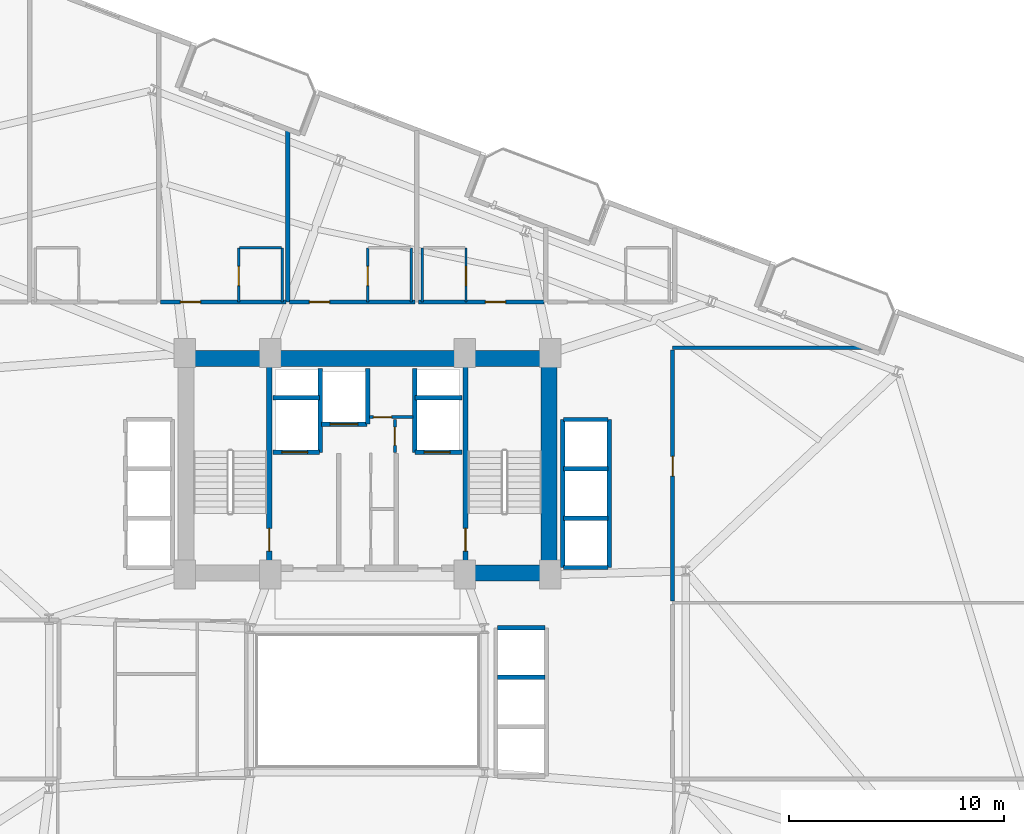
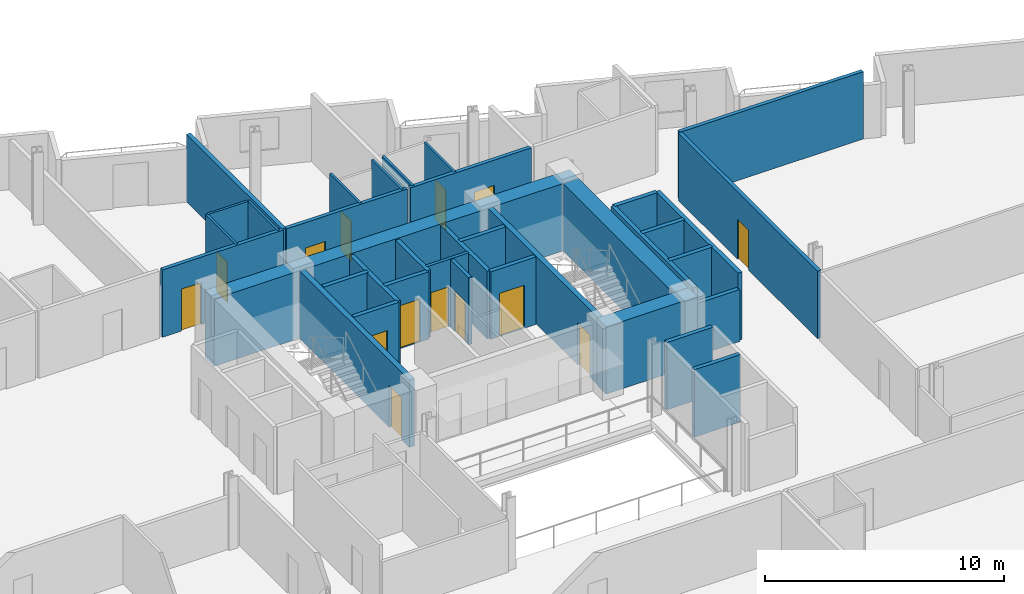
# One storey, part 20 of 25: 36 walls, 14 doors, 14 openings.
"""IFC4 building model written with IfcOpenShell, lengths in metres."""

from ifc_helpers import new_model, si_unit, direction, frame, frame_2d, origin, place, context, subcontext, project, spatial, rectangle, extrude, material, layer, layer_set, type_object, element, fill, save


model = new_model("IFC4")

# Units and contexts
model_context = context("Model", 3, precision=1e-05, world=origin(), true_north=direction((0.0, 1.0)))
body_context = subcontext(model_context, "Body", "Model", "MODEL_VIEW")
ifc_project = project(units=[si_unit("LENGTHUNIT", "METRE"), si_unit("AREAUNIT", "SQUARE_METRE"), si_unit("VOLUMEUNIT", "CUBIC_METRE"), si_unit("PLANEANGLEUNIT", "RADIAN"), si_unit("MASSUNIT", "GRAM", prefix="KILO")], contexts=[model_context])

# Site, building, storey
site_placement = place(None, origin())
site = spatial("IfcSite", under=ifc_project, at=site_placement, CompositionType="ELEMENT")
building_placement = place(site_placement, origin())
building = spatial("IfcBuilding", under=site, at=building_placement, Name="Varnelok Gate Tower", CompositionType="ELEMENT")
storey_placement = place(building_placement, frame((0.0, 0.0, 91.0)))
storey = spatial("IfcBuildingStorey", under=building, at=storey_placement, Name="L22", CompositionType="ELEMENT", Elevation=91.0)

# Wall, opening, door
ifc_material_1 = material(Name="Gypsum Plasterboard Acoustic Partition", Category="gypsum")
ifc_layer_1 = layer(ifc_material_1, 0.179931640625)
ifc_layer_set_1 = layer_set([ifc_layer_1], Name="Gypsum Plasterboard Acoustic Partition")
wall_type_1 = type_object("IfcWallType", Name="PW-CORR-180", PredefinedType="PARTITIONING", material=ifc_layer_set_1)
wall_1_placement = place(storey_placement, frame((29.580078125, 41.429931640625, 0.0), z_axis=(0.0, 0.0, 1.0), x_axis=(1.0, 0.0, 0.0)))
wall_1 = element("IfcWall", 1, at=wall_1_placement, inside=storey, type_object=wall_type_1, Name="Interior Partition", PredefinedType="PARTITIONING", context=body_context, shape_type="SweptSolid", body=[
    extrude(rectangle(XDim=5.83984375, YDim=0.179931640625, at=frame_2d((2.919921875, 0.0))), origin(), (0.0, 0.0, 1.0), 3.449951171875),
])
opening_1_placement = place(wall_1_placement, frame((0.917236328125, 0.0, 0.0)))
opening_1 = element("IfcOpeningElement", 2, at=opening_1_placement, cuts=wall_1, Name="Opening D-HT", PredefinedType="OPENING", context=body_context, shape_type="SweptSolid", body=[
    extrude(rectangle(XDim=0.949951171875, YDim=2.14990234375, at=frame_2d((0.47509765625, 1.074951171875))), frame((0.0, 0.099853515625, 0.0), z_axis=(0.0, -1.0, 0.0), x_axis=(1.0, 0.0, 0.0)), (0.0, 0.0, 1.0), 0.199951171875),
])
ifc_material_2 = material(Name="Engineered Hardwood Timber", Category="wood")
door_type_1 = type_object("IfcDoorType", Name="DR-HTL-950", OperationType="NOTDEFINED", PredefinedType="DOOR", material=ifc_material_2)
door_1_placement = place(opening_1_placement, origin())
door_1 = element("IfcDoor", 3, at=door_1_placement, inside=storey, type_object=door_type_1, Name="L22 Guest Room 07 Entrance Door", OperationType="SINGLE_SWING_RIGHT", OverallHeight=2.14990234375, OverallWidth=0.949951171875, PredefinedType="DOOR", context=body_context, shape_type="SweptSolid", body=[
    extrude(rectangle(XDim=0.949951171875, YDim=2.14990234375, at=frame_2d((0.47509765625, 1.074951171875))), frame((0.0, 0.02490234375, 0.0), z_axis=(0.0, -1.0, 0.0), x_axis=(1.0, 0.0, 0.0)), (0.0, 0.0, 1.0), 0.050048828125),
])
fill(opening_1, door_1)

wall_2_placement = place(storey_placement, frame((35.580078125, 41.429931640625, 0.0), z_axis=(0.0, 0.0, 1.0), x_axis=(1.0, 0.0, 0.0)))
wall_2 = element("IfcWall", 4, at=wall_2_placement, inside=storey, type_object=wall_type_1, Name="Interior Partition", PredefinedType="PARTITIONING", context=body_context, shape_type="SweptSolid", body=[
    extrude(rectangle(XDim=5.83984375, YDim=0.179931640625, at=frame_2d((2.919921875, 0.0))), origin(), (0.0, 0.0, 1.0), 3.449951171875),
])
opening_2_placement = place(wall_2_placement, frame((0.917236328125, 0.0, 0.0)))
opening_2 = element("IfcOpeningElement", 5, at=opening_2_placement, cuts=wall_2, Name="Opening D-HT", PredefinedType="OPENING", context=body_context, shape_type="SweptSolid", body=[
    extrude(rectangle(XDim=0.949951171875, YDim=2.14990234375, at=frame_2d((0.47509765625, 1.074951171875))), frame((0.0, 0.099853515625, 0.0), z_axis=(0.0, -1.0, 0.0), x_axis=(1.0, 0.0, 0.0)), (0.0, 0.0, 1.0), 0.199951171875),
])
door_2_placement = place(opening_2_placement, origin())
door_2 = element("IfcDoor", 6, at=door_2_placement, inside=storey, type_object=door_type_1, Name="L22 Guest Room 08 Entrance Door", OperationType="SINGLE_SWING_LEFT", OverallHeight=2.14990234375, OverallWidth=0.949951171875, PredefinedType="DOOR", context=body_context, shape_type="SweptSolid", body=[
    extrude(rectangle(XDim=0.949951171875, YDim=2.14990234375, at=frame_2d((0.47509765625, 1.074951171875))), frame((0.0, 0.02490234375, 0.0), z_axis=(0.0, -1.0, 0.0), x_axis=(1.0, 0.0, 0.0)), (0.0, 0.0, 1.0), 0.050048828125),
])
fill(opening_2, door_2)

wall_3_placement = place(storey_placement, frame((41.580078125, 41.429931640625, 0.0), z_axis=(0.0, 0.0, 1.0), x_axis=(1.0, 0.0, 0.0)))
wall_3 = element("IfcWall", 7, at=wall_3_placement, inside=storey, type_object=wall_type_1, Name="Interior Partition", PredefinedType="PARTITIONING", context=body_context, shape_type="SweptSolid", body=[
    extrude(rectangle(XDim=5.83984375, YDim=0.179931640625, at=frame_2d((2.919921875, 0.0))), origin(), (0.0, 0.0, 1.0), 3.449951171875),
])
opening_3_placement = place(wall_3_placement, frame((3.101318359375, 0.0, 0.0)))
opening_3 = element("IfcOpeningElement", 8, at=opening_3_placement, cuts=wall_3, Name="Opening D-HT", PredefinedType="OPENING", context=body_context, shape_type="SweptSolid", body=[
    extrude(rectangle(XDim=0.949951171875, YDim=2.14990234375, at=frame_2d((0.47509765625, 1.074951171875))), frame((0.0, 0.099853515625, 0.0), z_axis=(0.0, -1.0, 0.0), x_axis=(1.0, 0.0, 0.0)), (0.0, 0.0, 1.0), 0.199951171875),
])
door_3_placement = place(opening_3_placement, origin())
door_3 = element("IfcDoor", 9, at=door_3_placement, inside=storey, type_object=door_type_1, Name="L22 Guest Room 09 Entrance Door", OperationType="SINGLE_SWING_RIGHT", OverallHeight=2.14990234375, OverallWidth=0.949951171875, PredefinedType="DOOR", context=body_context, shape_type="SweptSolid", body=[
    extrude(rectangle(XDim=0.949951171875, YDim=2.14990234375, at=frame_2d((0.47509765625, 1.074951171875))), frame((0.0, 0.02490234375, 0.0), z_axis=(0.0, -1.0, 0.0), x_axis=(1.0, 0.0, 0.0)), (0.0, 0.0, 1.0), 0.050048828125),
])
fill(opening_3, door_3)

wall_4_placement = place(storey_placement, frame((53.389892578125, 27.530029296875, 0.0), z_axis=(0.0, 0.0, 1.0), x_axis=(0.0, 1.0, 0.0)))
wall_4 = element("IfcWall", 10, at=wall_4_placement, inside=storey, type_object=wall_type_1, Name="Interior Partition", PredefinedType="PARTITIONING", context=body_context, shape_type="SweptSolid", body=[
    extrude(rectangle(XDim=11.669921875, YDim=0.179931640625, at=frame_2d((5.8349609375, 0.0))), origin(), (0.0, 0.0, 1.0), 3.449951171875),
])
opening_4_placement = place(wall_4_placement, frame((5.800048828125, 0.0, 0.0)))
opening_4 = element("IfcOpeningElement", 11, at=opening_4_placement, cuts=wall_4, Name="Opening D-I3", PredefinedType="OPENING", context=body_context, shape_type="SweptSolid", body=[
    extrude(rectangle(XDim=0.919921875, YDim=2.050048828125, at=frame_2d((0.4599609375, 1.02490234375))), frame((0.0, 0.099853515625, 0.0), z_axis=(0.0, -1.0, 0.0), x_axis=(1.0, 0.0, 0.0)), (0.0, 0.0, 1.0), 0.199951171875),
])
door_type_2 = type_object("IfcDoorType", Name="DR-INT-920", OperationType="NOTDEFINED", PredefinedType="DOOR", material=ifc_material_2)
door_4_placement = place(opening_4_placement, origin())
door_4 = element("IfcDoor", 12, at=door_4_placement, inside=storey, type_object=door_type_2, Name="L22 East Suite 2 Door", OperationType="SINGLE_SWING_RIGHT", OverallHeight=2.050048828125, OverallWidth=0.919921875, PredefinedType="DOOR", context=body_context, shape_type="SweptSolid", body=[
    extrude(rectangle(XDim=0.919921875, YDim=2.050048828125, at=frame_2d((0.4599609375, 1.02490234375))), frame((0.0, 0.02490234375, 0.0), z_axis=(0.0, -1.0, 0.0), x_axis=(1.0, 0.0, 0.0)), (0.0, 0.0, 1.0), 0.050048828125),
])
fill(opening_4, door_4)

# Walls
wall_5_placement = place(storey_placement, frame((53.389892578125, 39.300048828125, 0.0), z_axis=(0.0, 0.0, 1.0), x_axis=(1.0, 0.0, 0.0)))
element("IfcWall", 13, at=wall_5_placement, inside=storey, type_object=wall_type_1, Name="Interior Partition", PredefinedType="PARTITIONING", context=body_context, shape_type="SweptSolid", body=[
    extrude(rectangle(XDim=8.87646484375, YDim=0.179931640625, at=frame_2d((4.438232421875, 0.0))), origin(), (0.0, 0.0, 1.0), 3.449951171875),
])
ifc_layer_2 = layer(ifc_material_1, 0.114990234375)
ifc_layer_set_2 = layer_set([ifc_layer_2], Name="Gypsum Plasterboard Acoustic Partition")
wall_type_2 = type_object("IfcWallType", Name="PW-ENS-125", PredefinedType="PARTITIONING", material=ifc_layer_set_2)
wall_6_placement = place(storey_placement, frame((33.256103515625, 43.949951171875, 0.0), z_axis=(0.0, 0.0, 1.0), x_axis=(1.0, 0.0, 0.0)))
element("IfcWall", 14, at=wall_6_placement, inside=storey, type_object=wall_type_2, Name="Interior Partition", PredefinedType="PARTITIONING", context=body_context, shape_type="SweptSolid", body=[
    extrude(rectangle(XDim=1.94384765625, YDim=0.114990234375, at=frame_2d((0.971923828125, 0.0))), origin(), (0.0, 0.0, 1.0), 3.449951171875),
])

# Wall, opening, door
wall_7_placement = place(storey_placement, frame((33.216064453125, 41.429931640625, 0.0), z_axis=(0.0, 0.0, 1.0), x_axis=(0.0, 1.0, 0.0)))
wall_7 = element("IfcWall", 15, at=wall_7_placement, inside=storey, type_object=wall_type_2, Name="Interior Partition", PredefinedType="PARTITIONING", context=body_context, shape_type="SweptSolid", body=[
    extrude(rectangle(XDim=2.52001953125, YDim=0.114990234375, at=frame_2d((1.260009765625, 0.0))), origin(), (0.0, 0.0, 1.0), 3.449951171875),
])
opening_5_placement = place(wall_7_placement, frame((0.760009765625, 0.0, 0.0)))
opening_5 = element("IfcOpeningElement", 16, at=opening_5_placement, cuts=wall_7, Name="Opening D-WC", PredefinedType="OPENING", context=body_context, shape_type="SweptSolid", body=[
    extrude(rectangle(XDim=0.89990234375, YDim=2.050048828125, at=frame_2d((0.449951171875, 1.02490234375))), frame((0.0, 0.0673828125, 0.0), z_axis=(0.0, -1.0, 0.0), x_axis=(1.0, 0.0, 0.0)), (0.0, 0.0, 1.0), 0.135009765625),
])
door_type_3 = type_object("IfcDoorType", Name="DR-BATH-900", OperationType="NOTDEFINED", PredefinedType="DOOR", material=ifc_material_2)
door_5_placement = place(opening_5_placement, origin())
door_5 = element("IfcDoor", 17, at=door_5_placement, inside=storey, type_object=door_type_3, Name="L22 North En-Suite 07 Door", OperationType="SINGLE_SWING_LEFT", OverallHeight=2.050048828125, OverallWidth=0.89990234375, PredefinedType="DOOR", context=body_context, shape_type="SweptSolid", body=[
    extrude(rectangle(XDim=0.89990234375, YDim=2.050048828125, at=frame_2d((0.449951171875, 1.02490234375))), frame((0.0, 0.02490234375, 0.0), z_axis=(0.0, -1.0, 0.0), x_axis=(1.0, 0.0, 0.0)), (0.0, 0.0, 1.0), 0.050048828125),
])
fill(opening_5, door_5)

# Wall
wall_8_placement = place(storey_placement, frame((35.239990234375, 41.429931640625, 0.0), z_axis=(0.0, 0.0, 1.0), x_axis=(0.0, 1.0, 0.0)))
element("IfcWall", 18, at=wall_8_placement, inside=storey, type_object=wall_type_2, Name="Interior Partition", PredefinedType="PARTITIONING", context=body_context, shape_type="SweptSolid", body=[
    extrude(rectangle(XDim=2.52001953125, YDim=0.114990234375, at=frame_2d((1.260009765625, 0.0))), origin(), (0.0, 0.0, 1.0), 3.449951171875),
])

# Wall, opening, door
wall_9_placement = place(storey_placement, frame((39.216064453125, 41.429931640625, 0.0), z_axis=(0.0, 0.0, 1.0), x_axis=(0.0, 1.0, 0.0)))
wall_9 = element("IfcWall", 19, at=wall_9_placement, inside=storey, type_object=wall_type_2, Name="Interior Partition", PredefinedType="PARTITIONING", context=body_context, shape_type="SweptSolid", body=[
    extrude(rectangle(XDim=2.52001953125, YDim=0.114990234375, at=frame_2d((1.260009765625, 0.0))), origin(), (0.0, 0.0, 1.0), 3.449951171875),
])
opening_6_placement = place(wall_9_placement, frame((0.760009765625, 0.0, 0.0)))
opening_6 = element("IfcOpeningElement", 20, at=opening_6_placement, cuts=wall_9, Name="Opening D-WC", PredefinedType="OPENING", context=body_context, shape_type="SweptSolid", body=[
    extrude(rectangle(XDim=0.89990234375, YDim=2.050048828125, at=frame_2d((0.449951171875, 1.02490234375))), frame((0.0, 0.0673828125, 0.0), z_axis=(0.0, -1.0, 0.0), x_axis=(1.0, 0.0, 0.0)), (0.0, 0.0, 1.0), 0.135009765625),
])
door_6_placement = place(opening_6_placement, origin())
door_6 = element("IfcDoor", 21, at=door_6_placement, inside=storey, type_object=door_type_3, Name="L22 North En-Suite 08 Door", OperationType="SINGLE_SWING_LEFT", OverallHeight=2.050048828125, OverallWidth=0.89990234375, PredefinedType="DOOR", context=body_context, shape_type="SweptSolid", body=[
    extrude(rectangle(XDim=0.89990234375, YDim=2.050048828125, at=frame_2d((0.449951171875, 1.02490234375))), frame((0.0, 0.02490234375, 0.0), z_axis=(0.0, -1.0, 0.0), x_axis=(1.0, 0.0, 0.0)), (0.0, 0.0, 1.0), 0.050048828125),
])
fill(opening_6, door_6)

# Wall
wall_10_placement = place(storey_placement, frame((41.239990234375, 41.429931640625, 0.0), z_axis=(0.0, 0.0, 1.0), x_axis=(0.0, 1.0, 0.0)))
element("IfcWall", 22, at=wall_10_placement, inside=storey, type_object=wall_type_2, Name="Interior Partition", PredefinedType="PARTITIONING", context=body_context, shape_type="SweptSolid", body=[
    extrude(rectangle(XDim=2.52001953125, YDim=0.114990234375, at=frame_2d((1.260009765625, 0.0))), origin(), (0.0, 0.0, 1.0), 3.449951171875),
])

# Wall, opening, door
wall_11_placement = place(storey_placement, frame((43.783935546875, 41.429931640625, 0.0), z_axis=(0.0, 0.0, 1.0), x_axis=(0.0, 1.0, 0.0)))
wall_11 = element("IfcWall", 23, at=wall_11_placement, inside=storey, type_object=wall_type_2, Name="Interior Partition", PredefinedType="PARTITIONING", context=body_context, shape_type="SweptSolid", body=[
    extrude(rectangle(XDim=2.52001953125, YDim=0.114990234375, at=frame_2d((1.260009765625, 0.0))), origin(), (0.0, 0.0, 1.0), 3.449951171875),
])
opening_7_placement = place(wall_11_placement, frame((0.760009765625, 0.0, 0.0)))
opening_7 = element("IfcOpeningElement", 24, at=opening_7_placement, cuts=wall_11, Name="Opening D-WC", PredefinedType="OPENING", context=body_context, shape_type="SweptSolid", body=[
    extrude(rectangle(XDim=0.89990234375, YDim=2.050048828125, at=frame_2d((0.449951171875, 1.02490234375))), frame((0.0, 0.0673828125, 0.0), z_axis=(0.0, -1.0, 0.0), x_axis=(1.0, 0.0, 0.0)), (0.0, 0.0, 1.0), 0.135009765625),
])
door_7_placement = place(opening_7_placement, origin())
door_7 = element("IfcDoor", 25, at=door_7_placement, inside=storey, type_object=door_type_3, Name="L22 North En-Suite 09 Door", OperationType="SINGLE_SWING_RIGHT", OverallHeight=2.050048828125, OverallWidth=0.89990234375, PredefinedType="DOOR", context=body_context, shape_type="SweptSolid", body=[
    extrude(rectangle(XDim=0.89990234375, YDim=2.050048828125, at=frame_2d((0.449951171875, 1.02490234375))), frame((0.0, 0.02490234375, 0.0), z_axis=(0.0, -1.0, 0.0), x_axis=(1.0, 0.0, 0.0)), (0.0, 0.0, 1.0), 0.050048828125),
])
fill(opening_7, door_7)

# Wall
wall_12_placement = place(storey_placement, frame((41.760009765625, 41.429931640625, 0.0), z_axis=(0.0, 0.0, 1.0), x_axis=(0.0, 1.0, 0.0)))
element("IfcWall", 26, at=wall_12_placement, inside=storey, type_object=wall_type_2, Name="Interior Partition", PredefinedType="PARTITIONING", context=body_context, shape_type="SweptSolid", body=[
    extrude(rectangle(XDim=2.52001953125, YDim=0.114990234375, at=frame_2d((1.260009765625, 0.0))), origin(), (0.0, 0.0, 1.0), 3.449951171875),
])

# Wall, opening, door
ifc_layer_3 = layer(ifc_material_1, 0.14990234375)
ifc_layer_set_3 = layer_set([ifc_layer_3], Name="Gypsum Plasterboard Acoustic Partition")
wall_type_3 = type_object("IfcWallType", Name="PW-PART-150", PredefinedType="PARTITIONING", material=ifc_layer_set_3)
wall_13_placement = place(storey_placement, frame((39.300048828125, 36.080078125, 0.0), z_axis=(0.0, 0.0, 1.0), x_axis=(1.0, 0.0, 0.0)))
wall_13 = element("IfcWall", 27, at=wall_13_placement, inside=storey, type_object=wall_type_3, Name="L22 Electrical Closet South Wall", PredefinedType="PARTITIONING", context=body_context, shape_type="SweptSolid", body=[
    extrude(rectangle(XDim=2.02001953125, YDim=0.14990234375, at=frame_2d((1.010009765625, 0.0))), origin(), (0.0, 0.0, 1.0), 3.449951171875),
])
opening_8_placement = place(wall_13_placement, frame((0.179931640625, 0.0, 0.0)))
opening_8 = element("IfcOpeningElement", 28, at=opening_8_placement, cuts=wall_13, Name="Opening D-RS", PredefinedType="OPENING", context=body_context, shape_type="SweptSolid", body=[
    extrude(rectangle(XDim=0.85009765625, YDim=2.050048828125, at=frame_2d((0.425048828125, 1.02490234375))), frame((0.0, 0.0849609375, 0.0), z_axis=(0.0, -1.0, 0.0), x_axis=(1.0, 0.0, 0.0)), (0.0, 0.0, 1.0), 0.169921875),
])
ifc_material_3 = material(Name="Galvanized Steel Grade S350GD", Category="steel")
door_type_4 = type_object("IfcDoorType", Name="DR-RISER-850", OperationType="NOTDEFINED", PredefinedType="DOOR", material=ifc_material_3)
door_8_placement = place(opening_8_placement, origin())
door_8 = element("IfcDoor", 29, at=door_8_placement, inside=storey, type_object=door_type_4, Name="L22 Electrical Closet Door", OperationType="SINGLE_SWING_RIGHT", OverallHeight=2.050048828125, OverallWidth=0.85009765625, PredefinedType="DOOR", context=body_context, shape_type="SweptSolid", body=[
    extrude(rectangle(XDim=0.85009765625, YDim=2.050048828125, at=frame_2d((0.425048828125, 1.02490234375))), frame((0.0, 0.02490234375, 0.0), z_axis=(0.0, -1.0, 0.0), x_axis=(1.0, 0.0, 0.0)), (0.0, 0.0, 1.0), 0.050048828125),
])
fill(opening_8, door_8)

wall_14_placement = place(storey_placement, frame((40.47998046875, 34.43994140625, 0.0), z_axis=(0.0, 0.0, 1.0), x_axis=(0.0, 1.0, 0.0)))
wall_14 = element("IfcWall", 30, at=wall_14_placement, inside=storey, type_object=wall_type_3, Name="L22 Telecoms Closet West Wall", PredefinedType="PARTITIONING", context=body_context, shape_type="SweptSolid", body=[
    extrude(rectangle(XDim=1.52001953125, YDim=0.14990234375, at=frame_2d((0.760009765625, 0.0))), origin(), (0.0, 0.0, 1.0), 3.449951171875),
])
opening_9_placement = place(wall_14_placement, frame((0.320068359375, 0.0, 0.0)))
opening_9 = element("IfcOpeningElement", 31, at=opening_9_placement, cuts=wall_14, Name="Opening D-RS", PredefinedType="OPENING", context=body_context, shape_type="SweptSolid", body=[
    extrude(rectangle(XDim=0.85009765625, YDim=2.050048828125, at=frame_2d((0.425048828125, 1.02490234375))), frame((0.0, 0.0849609375, 0.0), z_axis=(0.0, -1.0, 0.0), x_axis=(1.0, 0.0, 0.0)), (0.0, 0.0, 1.0), 0.169921875),
])
door_9_placement = place(opening_9_placement, origin())
door_9 = element("IfcDoor", 32, at=door_9_placement, inside=storey, type_object=door_type_4, Name="L22 Telecoms Closet Door", OperationType="SINGLE_SWING_LEFT", OverallHeight=2.050048828125, OverallWidth=0.85009765625, PredefinedType="DOOR", context=body_context, shape_type="SweptSolid", body=[
    extrude(rectangle(XDim=0.85009765625, YDim=2.050048828125, at=frame_2d((0.425048828125, 1.02490234375))), frame((0.0, 0.02490234375, 0.0), z_axis=(0.0, -1.0, 0.0), x_axis=(1.0, 0.0, 0.0)), (0.0, 0.0, 1.0), 0.050048828125),
])
fill(opening_9, door_9)

# Wall
ifc_layer_4 = layer(ifc_material_1, 0.205078125)
ifc_layer_set_4 = layer_set([ifc_layer_4], Name="Gypsum Plasterboard Acoustic Partition")
wall_type_4 = type_object("IfcWallType", Name="PW-PARTY-200", PredefinedType="PARTITIONING", material=ifc_layer_set_4)
wall_15_placement = place(storey_placement, frame((35.5, 41.429931640625, 0.0), z_axis=(0.0, 0.0, 1.0), x_axis=(0.0, 1.0, 0.0)))
element("IfcWall", 33, at=wall_15_placement, inside=storey, type_object=wall_type_4, Name="L22 North Party Wall 3", PredefinedType="PARTITIONING", context=body_context, shape_type="SweptSolid", body=[
    extrude(rectangle(XDim=8.00341796875, YDim=0.205078125, at=frame_2d((4.001708984375, 0.0))), origin(), (0.0, 0.0, 1.0), 3.449951171875),
])

# Wall, opening, door
ifc_material_4 = material(Name="Concrete C35/45", Category="concrete")
ifc_layer_5 = layer(ifc_material_4, 0.199951171875)
ifc_layer_set_5 = layer_set([ifc_layer_5], Name="Concrete C35/45")
wall_type_5 = type_object("IfcWallType", Name="PW-SHAFT-200", PredefinedType="PARTITIONING", material=ifc_layer_set_5)
wall_16_placement = place(storey_placement, frame((34.800048828125, 34.43994140625, 0.0), z_axis=(0.0, 0.0, 1.0), x_axis=(1.0, 0.0, 0.0)))
wall_16 = element("IfcWall", 34, at=wall_16_placement, inside=storey, type_object=wall_type_5, Name="L22 FF1 Shaft Front Wall", PredefinedType="PARTITIONING", context=body_context, shape_type="SweptSolid", body=[
    extrude(rectangle(XDim=2.179931640625, YDim=0.199951171875, at=frame_2d((1.08984375, 0.0))), origin(), (0.0, 0.0, 1.0), 3.449951171875),
])
opening_10_placement = place(wall_16_placement, frame((0.419921875, 0.0, 0.0)))
opening_10 = element("IfcOpeningElement", 35, at=opening_10_placement, cuts=wall_16, Name="Opening LD-FF1", PredefinedType="OPENING", context=body_context, shape_type="SweptSolid", body=[
    extrude(rectangle(XDim=1.199951171875, YDim=2.199951171875, at=frame_2d((0.60009765625, 1.10009765625))), frame((0.0, 0.10986328125, 0.0), z_axis=(0.0, -1.0, 0.0), x_axis=(1.0, 0.0, 0.0)), (0.0, 0.0, 1.0), 0.219970703125),
])
door_type_5 = type_object("IfcDoorType", Name="DR-LIFT-FF1200", OperationType="SLIDING_TO_LEFT", PredefinedType="DOOR", material=ifc_material_3)
door_10_placement = place(opening_10_placement, origin())
door_10 = element("IfcDoor", 36, at=door_10_placement, inside=storey, type_object=door_type_5, Name="L22 Firefighting Lift Landing Door LD-FF1", OperationType="SLIDING_TO_LEFT", OverallHeight=2.199951171875, OverallWidth=1.199951171875, PredefinedType="DOOR", context=body_context, shape_type="SweptSolid", body=[
    extrude(rectangle(XDim=1.199951171875, YDim=2.199951171875, at=frame_2d((0.60009765625, 1.10009765625))), frame((0.0, 0.02490234375, 0.0), z_axis=(0.0, -1.0, 0.0), x_axis=(1.0, 0.0, 0.0)), (0.0, 0.0, 1.0), 0.050048828125),
])
fill(opening_10, door_10)

# Walls
wall_17_placement = place(storey_placement, frame((34.800048828125, 36.97998046875, 0.0), z_axis=(0.0, 0.0, 1.0), x_axis=(1.0, 0.0, 0.0)))
element("IfcWall", 37, at=wall_17_placement, inside=storey, type_object=wall_type_5, Name="L22 FF1 Shaft North Wall", PredefinedType="PARTITIONING", context=body_context, shape_type="SweptSolid", body=[
    extrude(rectangle(XDim=2.179931640625, YDim=0.199951171875, at=frame_2d((1.08984375, 0.0))), origin(), (0.0, 0.0, 1.0), 3.449951171875),
])
wall_18_placement = place(storey_placement, frame((37.0, 34.43994140625, 0.0), z_axis=(0.0, 0.0, 1.0), x_axis=(0.0, 1.0, 0.0)))
element("IfcWall", 38, at=wall_18_placement, inside=storey, type_object=wall_type_5, Name="L22 FF1 Shaft Side Wall", PredefinedType="PARTITIONING", context=body_context, shape_type="SweptSolid", body=[
    extrude(rectangle(XDim=3.900146484375, YDim=0.199951171875, at=frame_2d((1.9501953125, 0.0))), origin(), (0.0, 0.0, 1.0), 3.449951171875),
])

# Wall, opening, door
wall_19_placement = place(storey_placement, frame((41.419921875, 34.43994140625, 0.0), z_axis=(0.0, 0.0, 1.0), x_axis=(1.0, 0.0, 0.0)))
wall_19 = element("IfcWall", 39, at=wall_19_placement, inside=storey, type_object=wall_type_5, Name="L22 FF2 Shaft Front Wall", PredefinedType="PARTITIONING", context=body_context, shape_type="SweptSolid", body=[
    extrude(rectangle(XDim=2.18017578125, YDim=0.199951171875, at=frame_2d((1.090087890625, 0.0))), origin(), (0.0, 0.0, 1.0), 3.449951171875),
])
opening_11_placement = place(wall_19_placement, frame((0.419921875, 0.0, 0.0)))
opening_11 = element("IfcOpeningElement", 40, at=opening_11_placement, cuts=wall_19, Name="Opening LD-FF2", PredefinedType="OPENING", context=body_context, shape_type="SweptSolid", body=[
    extrude(rectangle(XDim=1.199951171875, YDim=2.199951171875, at=frame_2d((0.60009765625, 1.10009765625))), frame((0.0, 0.10986328125, 0.0), z_axis=(0.0, -1.0, 0.0), x_axis=(1.0, 0.0, 0.0)), (0.0, 0.0, 1.0), 0.219970703125),
])
door_11_placement = place(opening_11_placement, origin())
door_11 = element("IfcDoor", 41, at=door_11_placement, inside=storey, type_object=door_type_5, Name="L22 Firefighting Lift Landing Door LD-FF2", OperationType="SLIDING_TO_LEFT", OverallHeight=2.199951171875, OverallWidth=1.199951171875, PredefinedType="DOOR", context=body_context, shape_type="SweptSolid", body=[
    extrude(rectangle(XDim=1.199951171875, YDim=2.199951171875, at=frame_2d((0.60009765625, 1.10009765625))), frame((0.0, 0.02490234375, 0.0), z_axis=(0.0, -1.0, 0.0), x_axis=(1.0, 0.0, 0.0)), (0.0, 0.0, 1.0), 0.050048828125),
])
fill(opening_11, door_11)

# Walls
wall_20_placement = place(storey_placement, frame((41.419921875, 36.97998046875, 0.0), z_axis=(0.0, 0.0, 1.0), x_axis=(1.0, 0.0, 0.0)))
element("IfcWall", 42, at=wall_20_placement, inside=storey, type_object=wall_type_5, Name="L22 FF2 Shaft North Wall", PredefinedType="PARTITIONING", context=body_context, shape_type="SweptSolid", body=[
    extrude(rectangle(XDim=2.18017578125, YDim=0.199951171875, at=frame_2d((1.090087890625, 0.0))), origin(), (0.0, 0.0, 1.0), 3.449951171875),
])
wall_21_placement = place(storey_placement, frame((41.39990234375, 34.43994140625, 0.0), z_axis=(0.0, 0.0, 1.0), x_axis=(0.0, 1.0, 0.0)))
element("IfcWall", 43, at=wall_21_placement, inside=storey, type_object=wall_type_5, Name="L22 FF2 Shaft Side Wall", PredefinedType="PARTITIONING", context=body_context, shape_type="SweptSolid", body=[
    extrude(rectangle(XDim=3.900146484375, YDim=0.199951171875, at=frame_2d((1.9501953125, 0.0))), origin(), (0.0, 0.0, 1.0), 3.449951171875),
])

# Wall, opening, door
wall_22_placement = place(storey_placement, frame((37.06005859375, 35.75, 0.0), z_axis=(0.0, 0.0, 1.0), x_axis=(1.0, 0.0, 0.0)))
wall_22 = element("IfcWall", 44, at=wall_22_placement, inside=storey, type_object=wall_type_5, Name="L22 SV1 Shaft Front Wall", PredefinedType="PARTITIONING", context=body_context, shape_type="SweptSolid", body=[
    extrude(rectangle(XDim=2.119873046875, YDim=0.199951171875, at=frame_2d((1.06005859375, 0.0))), origin(), (0.0, 0.0, 1.0), 3.449951171875),
])
opening_12_placement = place(wall_22_placement, frame((0.39990234375, 0.0, 0.0)))
opening_12 = element("IfcOpeningElement", 45, at=opening_12_placement, cuts=wall_22, Name="Opening LD-SV1", PredefinedType="OPENING", context=body_context, shape_type="SweptSolid", body=[
    extrude(rectangle(XDim=1.300048828125, YDim=2.199951171875, at=frame_2d((0.64990234375, 1.10009765625))), frame((0.0, 0.10986328125, 0.0), z_axis=(0.0, -1.0, 0.0), x_axis=(1.0, 0.0, 0.0)), (0.0, 0.0, 1.0), 0.219970703125),
])
door_type_6 = type_object("IfcDoorType", Name="DR-LIFT-SV1300", OperationType="SLIDING_TO_LEFT", PredefinedType="DOOR", material=ifc_material_3)
door_12_placement = place(opening_12_placement, origin())
door_12 = element("IfcDoor", 46, at=door_12_placement, inside=storey, type_object=door_type_6, Name="L22 Service Lift Landing Door LD-SV1", OperationType="SLIDING_TO_LEFT", OverallHeight=2.199951171875, OverallWidth=1.300048828125, PredefinedType="DOOR", context=body_context, shape_type="SweptSolid", body=[
    extrude(rectangle(XDim=1.300048828125, YDim=2.199951171875, at=frame_2d((0.64990234375, 1.10009765625))), frame((0.0, 0.02490234375, 0.0), z_axis=(0.0, -1.0, 0.0), x_axis=(1.0, 0.0, 0.0)), (0.0, 0.0, 1.0), 0.050048828125),
])
fill(opening_12, door_12)

# Walls
wall_23_placement = place(storey_placement, frame((39.219970703125, 35.75, 0.0), z_axis=(0.0, 0.0, 1.0), x_axis=(0.0, 1.0, 0.0)))
element("IfcWall", 47, at=wall_23_placement, inside=storey, type_object=wall_type_5, Name="L22 SV1 Shaft East Wall", PredefinedType="PARTITIONING", context=body_context, shape_type="SweptSolid", body=[
    extrude(rectangle(XDim=2.590087890625, YDim=0.199951171875, at=frame_2d((1.294921875, 0.0))), origin(), (0.0, 0.0, 1.0), 3.449951171875),
])
for number, where, z_axis, x_axis, name in (
    (48, (48.320068359375, 31.375, 0.0), (0.0, 0.0, 1.0), (1.0, 0.0, 0.0), "L22 PM1 Divider"),
    (49, (48.320068359375, 33.675048828125, 0.0), (0.0, 0.0, 1.0), (1.0, 0.0, 0.0), "L22 PM2 Divider"),
):
    element("IfcWall", number, at=place(storey_placement, frame(where, z_axis=z_axis, x_axis=x_axis)), inside=storey, type_object=wall_type_5, Name=name, PredefinedType="PARTITIONING", context=body_context, shape_type="SweptSolid", body=[
        extrude(rectangle(XDim=2.059814453125, YDim=0.199951171875, at=frame_2d((1.02978515625, 0.0))), origin(), (0.0, 0.0, 1.0), 3.449951171875),
    ])
wall_24_placement = place(storey_placement, frame((48.320068359375, 29.080078125, 0.0), z_axis=(0.0, 0.0, 1.0), x_axis=(1.0, 0.0, 0.0)))
element("IfcWall", 50, at=wall_24_placement, inside=storey, type_object=wall_type_5, Name="L22 PM Bank South Wall", PredefinedType="PARTITIONING", context=body_context, shape_type="SweptSolid", body=[
    extrude(rectangle(XDim=2.059814453125, YDim=0.199951171875, at=frame_2d((1.02978515625, 0.0))), origin(), (0.0, 0.0, 1.0), 2.662109375),
])
wall_25_placement = place(storey_placement, frame((48.320068359375, 35.969970703125, 0.0), z_axis=(0.0, 0.0, 1.0), x_axis=(1.0, 0.0, 0.0)))
element("IfcWall", 51, at=wall_25_placement, inside=storey, type_object=wall_type_5, Name="L22 PM Bank North Wall", PredefinedType="PARTITIONING", context=body_context, shape_type="SweptSolid", body=[
    extrude(rectangle(XDim=2.059814453125, YDim=0.199951171875, at=frame_2d((1.02978515625, 0.0))), origin(), (0.0, 0.0, 1.0), 3.449951171875),
])
for number, where, z_axis, x_axis, name in (
    (52, (48.280029296875, 29.080078125, 0.0), (0.0, 0.0, 1.0), (0.0, 1.0, 0.0), "L22 PM Bank Back Wall"),
    (53, (50.43994140625, 29.080078125, 0.0), (0.0, 0.0, 1.0), (0.0, 1.0, 0.0), "L22 PM Bank Front Wall"),
):
    element("IfcWall", number, at=place(storey_placement, frame(where, z_axis=z_axis, x_axis=x_axis)), inside=storey, type_object=wall_type_5, Name=name, PredefinedType="PARTITIONING", context=body_context, shape_type="SweptSolid", body=[
        extrude(rectangle(XDim=6.889892578125, YDim=0.199951171875, at=frame_2d((3.44482421875, 0.0))), origin(), (0.0, 0.0, 1.0), 3.449951171875),
    ])
for number, where, z_axis, x_axis, name in (
    (54, (45.239990234375, 23.97509765625, 0.0), (0.0, 0.0, 1.0), (1.0, 0.0, 0.0), "L22 PH2 Divider"),
    (55, (45.239990234375, 26.280029296875, 0.0), (0.0, 0.0, 1.0), (1.0, 0.0, 0.0), "L22 PH Bank North Wall"),
):
    element("IfcWall", number, at=place(storey_placement, frame(where, z_axis=z_axis, x_axis=x_axis)), inside=storey, type_object=wall_type_5, Name=name, PredefinedType="PARTITIONING", context=body_context, shape_type="SweptSolid", body=[
        extrude(rectangle(XDim=2.219970703125, YDim=0.199951171875, at=frame_2d((1.10986328125, 0.0))), origin(), (0.0, 0.0, 1.0), 3.449951171875),
    ])
ifc_material_5 = material(Name="Concrete C70/85", Category="concrete")
ifc_layer_6 = layer(ifc_material_5, 0.75)
ifc_layer_set_6 = layer_set([ifc_layer_6], Name="Concrete C70/85")
wall_type_6 = type_object("IfcWallType", Name="SW-CORE-750", PredefinedType="SHEAR", material=ifc_layer_set_6)
wall_26_placement = place(storey_placement, frame((30.3798828125, 38.794921875, 0.0), z_axis=(0.0, 0.0, 1.0), x_axis=(1.0, 0.0, 0.0)))
element("IfcWall", 56, at=wall_26_placement, inside=storey, type_object=wall_type_6, Name="L22 Rear Core North Shear Wall", PredefinedType="SHEAR", context=body_context, shape_type="SweptSolid", body=[
    extrude(rectangle(XDim=17.64013671875, YDim=0.75, at=frame_2d((8.820068359375, 0.0))), origin(), (0.0, 0.0, 1.0), 3.449951171875),
])
wall_27_placement = place(storey_placement, frame((47.64501953125, 29.199951171875, 0.0), z_axis=(0.0, 0.0, 1.0), x_axis=(0.0, 1.0, 0.0)))
element("IfcWall", 57, at=wall_27_placement, inside=storey, type_object=wall_type_6, Name="L22 Rear Core East Shear Wall", PredefinedType="SHEAR", context=body_context, shape_type="SweptSolid", body=[
    extrude(rectangle(XDim=9.219970703125, YDim=0.75, at=frame_2d((4.60986328125, 0.0))), origin(), (0.0, 0.0, 1.0), 3.449951171875),
])
wall_28_placement = place(storey_placement, frame((43.60009765625, 28.824951171875, 0.0), z_axis=(0.0, 0.0, 1.0), x_axis=(1.0, 0.0, 0.0)))
element("IfcWall", 58, at=wall_28_placement, inside=storey, type_object=wall_type_6, Name="L22 Rear Core South-East Shear Wall", PredefinedType="SHEAR", context=body_context, shape_type="SweptSolid", body=[
    extrude(rectangle(XDim=4.419921875, YDim=0.75, at=frame_2d((2.2099609375, 0.0))), origin(), (0.0, 0.0, 1.0), 3.449951171875),
])

# Wall, opening, door
ifc_material_6 = material(Name="Concrete C60/75", Category="concrete")
ifc_layer_7 = layer(ifc_material_6, 0.25)
ifc_layer_set_7 = layer_set([ifc_layer_7], Name="Concrete C60/75")
wall_type_7 = type_object("IfcWallType", Name="SW-SHAFT-250", PredefinedType="SHEAR", material=ifc_layer_set_7)
wall_29_placement = place(storey_placement, frame((34.639892578125, 29.199951171875, 0.0), z_axis=(0.0, 0.0, 1.0), x_axis=(0.0, 1.0, 0.0)))
wall_29 = element("IfcWall", 59, at=wall_29_placement, inside=storey, type_object=wall_type_7, Name="L22 Stair ST-1 East Shear Wall", PredefinedType="SHEAR", context=body_context, shape_type="SweptSolid", body=[
    extrude(rectangle(XDim=9.219970703125, YDim=0.25, at=frame_2d((4.60986328125, 0.0))), origin(), (0.0, 0.0, 1.0), 3.449951171875),
])
opening_13_placement = place(wall_29_placement, frame((0.64990234375, 0.0, 0.0)))
opening_13 = element("IfcOpeningElement", 60, at=opening_13_placement, cuts=wall_29, Name="Opening D-ST", PredefinedType="OPENING", context=body_context, shape_type="SweptSolid", body=[
    extrude(rectangle(XDim=1.050048828125, YDim=2.14990234375, at=frame_2d((0.52490234375, 1.074951171875))), frame((0.0, 0.135009765625, 0.0), z_axis=(0.0, -1.0, 0.0), x_axis=(1.0, 0.0, 0.0)), (0.0, 0.0, 1.0), 0.27001953125),
])
door_type_7 = type_object("IfcDoorType", Name="DR-STAIR-1050", OperationType="NOTDEFINED", PredefinedType="DOOR", material=ifc_material_3)
door_13_placement = place(opening_13_placement, origin())
door_13 = element("IfcDoor", 61, at=door_13_placement, inside=storey, type_object=door_type_7, Name="L22 Exit Stair ST-1 Fire Door", OperationType="SINGLE_SWING_LEFT", OverallHeight=2.14990234375, OverallWidth=1.050048828125, PredefinedType="DOOR", context=body_context, shape_type="SweptSolid", body=[
    extrude(rectangle(XDim=1.050048828125, YDim=2.14990234375, at=frame_2d((0.52490234375, 1.074951171875))), frame((0.0, 0.02490234375, 0.0), z_axis=(0.0, -1.0, 0.0), x_axis=(1.0, 0.0, 0.0)), (0.0, 0.0, 1.0), 0.050048828125),
])
fill(opening_13, door_13)

wall_30_placement = place(storey_placement, frame((43.760009765625, 29.199951171875, 0.0), z_axis=(0.0, 0.0, 1.0), x_axis=(0.0, 1.0, 0.0)))
wall_30 = element("IfcWall", 62, at=wall_30_placement, inside=storey, type_object=wall_type_7, Name="L22 Stair ST-2 West Shear Wall", PredefinedType="SHEAR", context=body_context, shape_type="SweptSolid", body=[
    extrude(rectangle(XDim=9.219970703125, YDim=0.25, at=frame_2d((4.60986328125, 0.0))), origin(), (0.0, 0.0, 1.0), 3.449951171875),
])
opening_14_placement = place(wall_30_placement, frame((0.64990234375, 0.0, 0.0)))
opening_14 = element("IfcOpeningElement", 63, at=opening_14_placement, cuts=wall_30, Name="Opening D-ST", PredefinedType="OPENING", context=body_context, shape_type="SweptSolid", body=[
    extrude(rectangle(XDim=1.050048828125, YDim=2.14990234375, at=frame_2d((0.52490234375, 1.074951171875))), frame((0.0, 0.135009765625, 0.0), z_axis=(0.0, -1.0, 0.0), x_axis=(1.0, 0.0, 0.0)), (0.0, 0.0, 1.0), 0.27001953125),
])
door_14_placement = place(opening_14_placement, origin())
door_14 = element("IfcDoor", 64, at=door_14_placement, inside=storey, type_object=door_type_7, Name="L22 Exit Stair ST-2 Fire Door", OperationType="SINGLE_SWING_RIGHT", OverallHeight=2.14990234375, OverallWidth=1.050048828125, PredefinedType="DOOR", context=body_context, shape_type="SweptSolid", body=[
    extrude(rectangle(XDim=1.050048828125, YDim=2.14990234375, at=frame_2d((0.52490234375, 1.074951171875))), frame((0.0, 0.02490234375, 0.0), z_axis=(0.0, -1.0, 0.0), x_axis=(1.0, 0.0, 0.0)), (0.0, 0.0, 1.0), 0.050048828125),
])
fill(opening_14, door_14)

save(model, "model.ifc")
